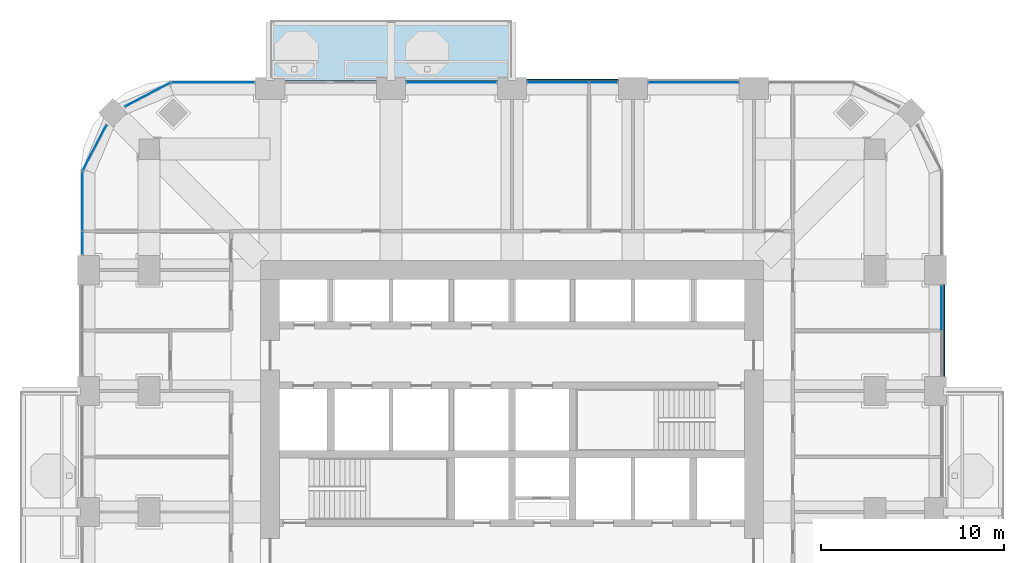
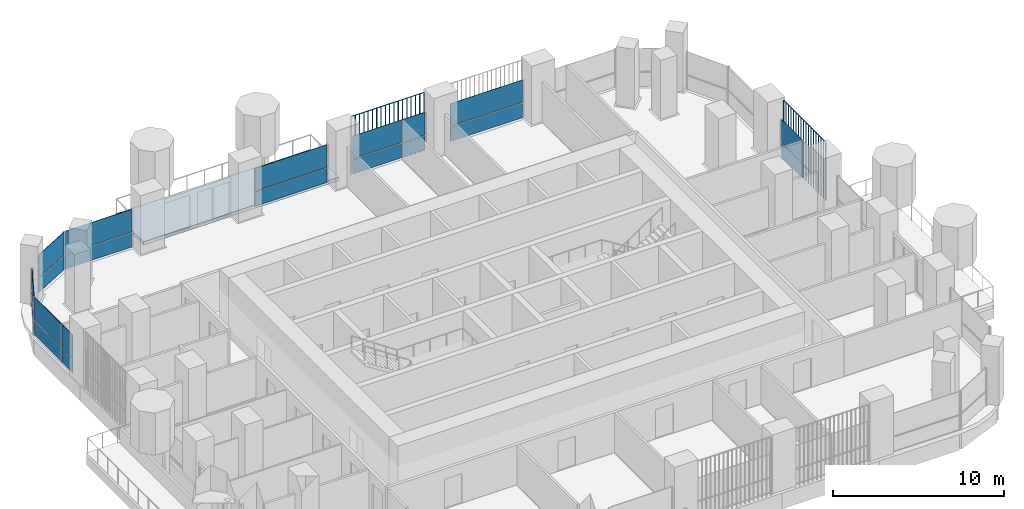
# One storey, part 10 of 20: 22 plates, 1 slab, 8 elements without a shape of their own.
"""IFC4 building model written with IfcOpenShell, lengths in metres."""

import ifcopenshell
import ifcopenshell.guid

model = None  # the IFC model being written
_history = None  # IfcOwnerHistory: only IFC2X3 demands one
_inside = {}  # id of a spatial element -> (the spatial element, [elements in it])
_under = {}  # id of a project, library or spatial element -> (it, [spatial elements below it])
_declared = {}  # id of a project -> (the project, [libraries it declares])
_typed = {}  # id of a type object -> (the type object, [elements of that type])
_made_of = {}  # id of a material, layer set ... -> (it, [elements and type objects made of it])


def new_model(schema):
    """Start an empty IFC model of exactly this schema.

    Asked for "IFC4X3", IfcOpenShell would pick the latest addendum, in which some entities
    have other attributes; the version numbers below select the first issue.
    IFC2X3 requires an IfcOwnerHistory on every rooted entity: one is made here for all.
    """
    global model, _history
    if schema == "IFC4X3":
        model = ifcopenshell.file(schema_version=(4, 3, 0, 0))
    else:
        model = ifcopenshell.file(schema=schema)
    _inside.clear()
    _under.clear()
    _declared.clear()
    _typed.clear()
    _made_of.clear()
    _history = None
    if model.schema == "IFC2X3":
        org = make("IfcOrganization", Name="unknown")
        user = make(
            "IfcPersonAndOrganization",
            ThePerson=make("IfcPerson", FamilyName="unknown"),
            TheOrganization=org,
        )
        app = make(
            "IfcApplication",
            ApplicationDeveloper=org,
            Version="unknown",
            ApplicationFullName="unknown",
            ApplicationIdentifier="unknown",
        )
        _history = make(
            "IfcOwnerHistory",
            OwningUser=user,
            OwningApplication=app,
            ChangeAction="ADDED",
            CreationDate=0,
        )
    return model


def make(cls, **values):
    """One entity of the class cls with the attributes given. An attribute that is None is left unset."""
    return model.create_entity(
        cls, **{name: value for name, value in values.items() if value is not None}
    )


def rooted(cls, **values):
    """An entity with a GlobalId (a new one), such as an element, a storey or a relation."""
    return make(cls, GlobalId=ifcopenshell.guid.new(), OwnerHistory=_history, **values)


def si_unit(unit_type, name, prefix=None):
    """IfcSIUnit, for example si_unit("LENGTHUNIT", "METRE", prefix="MILLI")."""
    return make("IfcSIUnit", UnitType=unit_type, Prefix=prefix, Name=name)


def assignment(units):
    """IfcUnitAssignment: the units of a project."""
    return None if units is None else make("IfcUnitAssignment", Units=units)


def point(xyz):
    """IfcCartesianPoint."""
    return None if xyz is None else make("IfcCartesianPoint", Coordinates=xyz)


def direction(xyz):
    """IfcDirection."""
    return None if xyz is None else make("IfcDirection", DirectionRatios=xyz)


def frame(location, z_axis=None, x_axis=None):
    """IfcAxis2Placement3D, a coordinate frame: its origin and axes. An axis left out is left unset."""
    return make(
        "IfcAxis2Placement3D",
        Location=point(location),
        Axis=direction(z_axis),
        RefDirection=direction(x_axis),
    )


def frame_2d(location, x_axis=None):
    """IfcAxis2Placement2D, a coordinate frame in the plane: its origin and x axis."""
    return make(
        "IfcAxis2Placement2D", Location=point(location), RefDirection=direction(x_axis)
    )


def origin():
    """The frame at (0, 0, 0) with its axes left unset."""
    return frame((0.0, 0.0, 0.0))


def origin_2d():
    """The frame at (0, 0) in the plane with its x axis left unset."""
    return frame_2d((0.0, 0.0))


def place(relative_to, where):
    """IfcLocalPlacement: puts the frame where relative to a parent placement (None: the world)."""
    return make(
        "IfcLocalPlacement", PlacementRelTo=relative_to, RelativePlacement=where
    )


def context(
    kind, dimensions, precision=None, world=None, true_north=None, identifier=None
):
    """IfcGeometricRepresentationContext, for example the 3D "Model" context."""
    return make(
        "IfcGeometricRepresentationContext",
        ContextIdentifier=identifier,
        ContextType=kind,
        CoordinateSpaceDimension=dimensions,
        Precision=precision,
        WorldCoordinateSystem=world,
        TrueNorth=true_north,
    )


def subcontext(parent, identifier, kind, view, scale=None):
    """IfcGeometricRepresentationSubContext, for example "Body" below "Model"."""
    return make(
        "IfcGeometricRepresentationSubContext",
        ContextIdentifier=identifier,
        ContextType=kind,
        ParentContext=parent,
        TargetScale=scale,
        TargetView=view,
    )


def project(units=None, contexts=None):
    """IfcProject with its units and contexts."""
    return rooted(
        "IfcProject",
        Name="project",
        RepresentationContexts=contexts,
        UnitsInContext=assignment(units),
    )


def spatial(cls, under=None, at=None, **own):
    """A site, building, storey or space (cls), placed at a placement, below another one or the project."""
    s = rooted(cls, ObjectPlacement=at, **own)
    if under is not None:
        _under.setdefault(under.id(), (under, []))[1].append(s)
    return s


def polyline(points):
    """IfcPolyline through the points."""
    return make("IfcPolyline", Points=[point(p) for p in points])


def profile(cls, at=None, kind="AREA", **sizes):
    """A parametric profile (cls). Its sizes go by their IFC names, for example OverallWidth=200.0."""
    return make(cls, ProfileType=kind, Position=at, **sizes)


def rectangle(**sizes):
    """IfcRectangleProfileDef."""
    return profile("IfcRectangleProfileDef", **sizes)


def outline(outer, holes=None, kind="AREA"):
    """IfcArbitraryClosedProfileDef: a profile drawn as a closed curve; with holes, ...WithVoids."""
    if holes is None:
        return make("IfcArbitraryClosedProfileDef", ProfileType=kind, OuterCurve=outer)
    return make(
        "IfcArbitraryProfileDefWithVoids",
        ProfileType=kind,
        OuterCurve=outer,
        InnerCurves=holes,
    )


def extrude(swept, where, along, depth):
    """IfcExtrudedAreaSolid: the profile swept, set in the frame where, extruded along a direction by depth."""
    return make(
        "IfcExtrudedAreaSolid",
        SweptArea=swept,
        Position=where,
        ExtrudedDirection=direction(along),
        Depth=depth,
    )


def shape(context_of_items, identifier, shape_type, items):
    """IfcShapeRepresentation: the items that make up one representation, for example the "Body"."""
    return make(
        "IfcShapeRepresentation",
        ContextOfItems=context_of_items,
        RepresentationIdentifier=identifier,
        RepresentationType=shape_type,
        Items=items,
    )


def material(Name=None, Category=None):
    """IfcMaterial."""
    return make("IfcMaterial", Name=Name, Category=Category)


def layer(
    of_material, thickness, ventilated=None, Name=None, Category=None, Priority=None
):
    """IfcMaterialLayer: one layer of a wall or slab, of a material (None: an air gap)."""
    return make(
        "IfcMaterialLayer",
        Material=of_material,
        LayerThickness=thickness,
        IsVentilated=ventilated,
        Name=Name,
        Category=Category,
        Priority=Priority,
    )


def layer_set(layers, Name=None):
    """IfcMaterialLayerSet."""
    return make("IfcMaterialLayerSet", MaterialLayers=layers, LayerSetName=Name)


def made_of(thing, what):
    """Note that an element or type object is made of a material, layer set ...; save() writes the relation."""
    if what is not None:
        _made_of.setdefault(what.id(), (what, []))[1].append(thing)
    return thing


def type_object(cls, material=None, **own):
    """A type object (cls), such as IfcWallType, which elements share."""
    return made_of(rooted(cls, **own), material)


def element(
    cls,
    number,
    at=None,
    inside=None,
    cuts=None,
    type_object=None,
    material=None,
    context=None,
    identifier="Body",
    shape_type=None,
    held_by="IfcProductDefinitionShape",
    body=None,
    shapes=None,
    **own,
):
    """One element of the class cls, such as IfcWall. Its Tag is "e" and its number.

    at: its placement. inside: the storey or other place that contains it. cuts: it is an
    opening in that element (IfcRelVoidsElement). A single representation is given by context,
    identifier, shape_type and body (its items); several are given by shapes. held_by: the class
    of the entity that holds the representations. save() writes the other relations.
    """
    e = rooted(cls, Tag="e%d" % number, ObjectPlacement=at, **own)
    if body is not None:
        shapes = [shape(context, identifier, shape_type, body)]
    if shapes is not None:
        e.Representation = make(held_by, Representations=shapes)
    if inside is not None:
        _inside.setdefault(inside.id(), (inside, []))[1].append(e)
    if cuts is not None:
        rooted(
            "IfcRelVoidsElement", RelatingBuildingElement=cuts, RelatedOpeningElement=e
        )
    if type_object is not None:
        _typed.setdefault(type_object.id(), (type_object, []))[1].append(e)
    return made_of(e, material)


def aggregate(whole, parts):
    """IfcRelAggregates: a whole, such as a stair, and the parts it consists of."""
    return rooted("IfcRelAggregates", RelatingObject=whole, RelatedObjects=parts)


def save(model, path):
    """Write the relations noted so far, then the file.

    IfcRelAggregates (storeys below a building ...), IfcRelContainedInSpatialStructure (elements
    in a storey), IfcRelDefinesByType, IfcRelAssociatesMaterial and IfcRelDeclares: one each for
    every whole, place, type object, material and project.
    """
    for whole, parts in _under.values():
        aggregate(whole, parts)
    for where, things in _inside.values():
        rooted(
            "IfcRelContainedInSpatialStructure",
            RelatedElements=things,
            RelatingStructure=where,
        )
    for kind, things in _typed.values():
        rooted("IfcRelDefinesByType", RelatedObjects=things, RelatingType=kind)
    for what, things in _made_of.values():
        rooted("IfcRelAssociatesMaterial", RelatedObjects=things, RelatingMaterial=what)
    for by, libraries in _declared.values():
        rooted("IfcRelDeclares", RelatingContext=by, RelatedDefinitions=libraries)
    model.write(path)


model = new_model("IFC4")

# Units and contexts
model_context = context("Model", 3, precision=1e-05, world=origin(), true_north=direction((0.0, 1.0)))
body_context = subcontext(model_context, "Body", "Model", "MODEL_VIEW")
ifc_project = project(units=[si_unit("LENGTHUNIT", "METRE"), si_unit("AREAUNIT", "SQUARE_METRE"), si_unit("VOLUMEUNIT", "CUBIC_METRE"), si_unit("PLANEANGLEUNIT", "RADIAN"), si_unit("MASSUNIT", "GRAM", prefix="KILO")], contexts=[model_context])

# Site, building, storey
site_placement = place(None, origin())
site = spatial("IfcSite", under=ifc_project, at=site_placement, CompositionType="ELEMENT")
building_placement = place(site_placement, origin())
building = spatial("IfcBuilding", under=site, at=building_placement, Name="Cobogo Forest Laboratory Tower", CompositionType="ELEMENT")
storey_placement = place(building_placement, frame((0.0, 0.0, 185.10009765625)))
storey = spatial("IfcBuildingStorey", under=building, at=storey_placement, Name="L42", CompositionType="ELEMENT", Elevation=185.10009765625)

# Slab
ifc_material_1 = material(Name="Concrete HA-40 (C40/50)", Category="concrete")
ifc_layer_1 = layer(ifc_material_1, 0.25)
ifc_layer_set_1 = layer_set([ifc_layer_1], Name="Balcony slab 250")
slab_type = type_object("IfcSlabType", Name="Balcony slab 250", PredefinedType="FLOOR", material=ifc_layer_set_1)
slab_placement = place(storey_placement, frame((0.0, 0.0, -0.25)))
element("IfcSlab", 1, at=slab_placement, inside=storey, type_object=slab_type, Name="Balcony BAL-N1 L42", PredefinedType="FLOOR", context=body_context, shape_type="SweptSolid", body=[
    extrude(outline(polyline([(13.199951171875, 43.35009765625), (26.39990234375, 43.35009765625), (26.39990234375, 46.64990234375), (13.199951171875, 46.64990234375), (13.199951171875, 43.35009765625)])), origin(), (0.0, 0.0, 1.0), 0.25),
])

# Curtain wall, plates
ifc_material_2 = material(Name="Aluminium curtain wall", Category="aluminium")
curtain_wall_type = type_object("IfcCurtainWallType", Name="CW-2 unitised curtain wall, solar control glazing, laboratory floors zones C and D", PredefinedType="USERDEFINED", material=ifc_material_2)
curtain_wall_1_placement = place(storey_placement, origin())
curtain_wall_1 = element("IfcCurtainWall", 2, at=curtain_wall_1_placement, inside=storey, type_object=curtain_wall_type, Name="Curtain wall 12 L42", ObjectType="UNITISED CURTAIN WALL", PredefinedType="USERDEFINED")
ifc_material_3 = material(Name="Solar control insulated glass", Category="glass")
ifc_layer_2 = layer(ifc_material_3, 0.031982421875)
ifc_layer_set_2 = layer_set([ifc_layer_2], Name="GP-2 solar control glass unit 32")
plate_type_1 = type_object("IfcPlateType", Name="GP-2 solar control glass unit 32", PredefinedType="CURTAIN_PANEL", material=ifc_layer_set_2)
plate_1_placement = place(storey_placement, frame((49.85009765625, 30.93505859375, 0.0), z_axis=(0.0, 0.0, 1.0), x_axis=(0.0, 1.0, 0.0)))
plate_1 = element("IfcPlate", 3, at=plate_1_placement, type_object=plate_type_1, Name="CW-2 panel 2.1", PredefinedType="CURTAIN_PANEL", context=body_context, shape_type="SweptSolid", body=[
    extrude(rectangle(XDim=2.409912109375, YDim=0.031982421875, at=origin_2d()), origin(), (0.0, 0.0, 1.0), 1.02001953125),
])
plate_2_placement = place(storey_placement, frame((49.85009765625, 30.93505859375, 1.079833984375), z_axis=(0.0, 0.0, 1.0), x_axis=(0.0, 1.0, 0.0)))
plate_2 = element("IfcPlate", 4, at=plate_2_placement, type_object=plate_type_1, Name="CW-2 panel 2.2", PredefinedType="CURTAIN_PANEL", context=body_context, shape_type="SweptSolid", body=[
    extrude(rectangle(XDim=2.409912109375, YDim=0.031982421875, at=origin_2d()), origin(), (0.0, 0.0, 1.0), 1.6201171875),
])
aggregate(curtain_wall_1, [plate_1, plate_2])

curtain_wall_2_placement = place(storey_placement, origin())
curtain_wall_2 = element("IfcCurtainWall", 5, at=curtain_wall_2_placement, inside=storey, type_object=curtain_wall_type, Name="Curtain wall 17 L42", ObjectType="UNITISED CURTAIN WALL", PredefinedType="USERDEFINED")
plate_3_placement = place(storey_placement, frame((36.300048828125, 43.25, 0.0), z_axis=(0.0, 0.0, 1.0), x_axis=(-1.0, 0.0, 0.0)))
plate_3 = element("IfcPlate", 6, at=plate_3_placement, type_object=plate_type_1, Name="CW-2 panel 1.1", PredefinedType="CURTAIN_PANEL", context=body_context, shape_type="SweptSolid", body=[
    extrude(rectangle(XDim=4.8798828125, YDim=0.031982421875, at=origin_2d()), origin(), (0.0, 0.0, 1.0), 1.02001953125),
])
plate_4_placement = place(storey_placement, frame((36.300048828125, 43.25, 1.079833984375), z_axis=(0.0, 0.0, 1.0), x_axis=(-1.0, 0.0, 0.0)))
plate_4 = element("IfcPlate", 7, at=plate_4_placement, type_object=plate_type_1, Name="CW-2 panel 1.2", PredefinedType="CURTAIN_PANEL", context=body_context, shape_type="SweptSolid", body=[
    extrude(rectangle(XDim=4.8798828125, YDim=0.031982421875, at=origin_2d()), origin(), (0.0, 0.0, 1.0), 1.6201171875),
])
aggregate(curtain_wall_2, [plate_3, plate_4])

curtain_wall_3_placement = place(storey_placement, origin())
curtain_wall_3 = element("IfcCurtainWall", 8, at=curtain_wall_3_placement, inside=storey, type_object=curtain_wall_type, Name="Curtain wall 18 L42", ObjectType="UNITISED CURTAIN WALL", PredefinedType="USERDEFINED")
plate_5_placement = place(storey_placement, frame((31.385009765625, 43.25, 0.0), z_axis=(0.0, 0.0, 1.0), x_axis=(-1.0, 0.0, 0.0)))
plate_5 = element("IfcPlate", 9, at=plate_5_placement, type_object=plate_type_1, Name="CW-2 panel 1.1", PredefinedType="CURTAIN_PANEL", context=body_context, shape_type="SweptSolid", body=[
    extrude(rectangle(XDim=1.510009765625, YDim=0.031982421875, at=origin_2d()), origin(), (0.0, 0.0, 1.0), 1.02001953125),
])
plate_6_placement = place(storey_placement, frame((31.385009765625, 43.25, 1.079833984375), z_axis=(0.0, 0.0, 1.0), x_axis=(-1.0, 0.0, 0.0)))
plate_6 = element("IfcPlate", 10, at=plate_6_placement, type_object=plate_type_1, Name="CW-2 panel 1.2", PredefinedType="CURTAIN_PANEL", context=body_context, shape_type="SweptSolid", body=[
    extrude(rectangle(XDim=1.510009765625, YDim=0.031982421875, at=origin_2d()), origin(), (0.0, 0.0, 1.0), 1.6201171875),
])
plate_7_placement = place(storey_placement, frame((28.9150390625, 43.25, 0.0), z_axis=(0.0, 0.0, 1.0), x_axis=(-1.0, 0.0, 0.0)))
plate_7 = element("IfcPlate", 11, at=plate_7_placement, type_object=plate_type_1, Name="CW-2 panel 2.1", PredefinedType="CURTAIN_PANEL", context=body_context, shape_type="SweptSolid", body=[
    extrude(rectangle(XDim=3.31005859375, YDim=0.031982421875, at=origin_2d()), origin(), (0.0, 0.0, 1.0), 1.02001953125),
])
plate_8_placement = place(storey_placement, frame((28.9150390625, 43.25, 1.079833984375), z_axis=(0.0, 0.0, 1.0), x_axis=(-1.0, 0.0, 0.0)))
plate_8 = element("IfcPlate", 12, at=plate_8_placement, type_object=plate_type_1, Name="CW-2 panel 2.2", PredefinedType="CURTAIN_PANEL", context=body_context, shape_type="SweptSolid", body=[
    extrude(rectangle(XDim=3.31005859375, YDim=0.031982421875, at=origin_2d()), origin(), (0.0, 0.0, 1.0), 1.6201171875),
])
aggregate(curtain_wall_3, [plate_5, plate_6, plate_7, plate_8])

curtain_wall_4_placement = place(storey_placement, origin())
curtain_wall_4 = element("IfcCurtainWall", 13, at=curtain_wall_4_placement, inside=storey, type_object=curtain_wall_type, Name="Curtain wall 19 L42", ObjectType="UNITISED CURTAIN WALL", PredefinedType="USERDEFINED")
plate_9_placement = place(storey_placement, frame((23.10009765625, 43.25, 0.0), z_axis=(0.0, 0.0, 1.0), x_axis=(-1.0, 0.0, 0.0)))
plate_9 = element("IfcPlate", 14, at=plate_9_placement, type_object=plate_type_1, Name="CW-2 panel 1.1", PredefinedType="CURTAIN_PANEL", context=body_context, shape_type="SweptSolid", body=[
    extrude(rectangle(XDim=4.8798828125, YDim=0.031982421875, at=origin_2d()), origin(), (0.0, 0.0, 1.0), 1.02001953125),
])
plate_10_placement = place(storey_placement, frame((23.10009765625, 43.25, 1.079833984375), z_axis=(0.0, 0.0, 1.0), x_axis=(-1.0, 0.0, 0.0)))
plate_10 = element("IfcPlate", 15, at=plate_10_placement, type_object=plate_type_1, Name="CW-2 panel 1.2", PredefinedType="CURTAIN_PANEL", context=body_context, shape_type="SweptSolid", body=[
    extrude(rectangle(XDim=4.8798828125, YDim=0.031982421875, at=origin_2d()), origin(), (0.0, 0.0, 1.0), 1.6201171875),
])
aggregate(curtain_wall_4, [plate_9, plate_10])

curtain_wall_5_placement = place(storey_placement, origin())
curtain_wall_5 = element("IfcCurtainWall", 16, at=curtain_wall_5_placement, inside=storey, type_object=curtain_wall_type, Name="Curtain wall 21 L42", ObjectType="UNITISED CURTAIN WALL", PredefinedType="USERDEFINED")
plate_11_placement = place(storey_placement, frame((10.10009765625, 43.25, 0.0), z_axis=(0.0, 0.0, 1.0), x_axis=(-1.0, 0.0, 0.0)))
plate_11 = element("IfcPlate", 17, at=plate_11_placement, type_object=plate_type_1, Name="CW-2 panel 1.1", PredefinedType="CURTAIN_PANEL", context=body_context, shape_type="SweptSolid", body=[
    extrude(rectangle(XDim=4.47998046875, YDim=0.031982421875, at=origin_2d()), origin(), (0.0, 0.0, 1.0), 1.02001953125),
])
plate_12_placement = place(storey_placement, frame((10.10009765625, 43.25, 1.079833984375), z_axis=(0.0, 0.0, 1.0), x_axis=(-1.0, 0.0, 0.0)))
plate_12 = element("IfcPlate", 18, at=plate_12_placement, type_object=plate_type_1, Name="CW-2 panel 1.2", PredefinedType="CURTAIN_PANEL", context=body_context, shape_type="SweptSolid", body=[
    extrude(rectangle(XDim=4.47998046875, YDim=0.031982421875, at=origin_2d()), origin(), (0.0, 0.0, 1.0), 1.6201171875),
])
aggregate(curtain_wall_5, [plate_11, plate_12])

curtain_wall_6_placement = place(storey_placement, origin())
curtain_wall_6 = element("IfcCurtainWall", 19, at=curtain_wall_6_placement, inside=storey, type_object=curtain_wall_type, Name="Curtain wall 22 L42", ObjectType="UNITISED CURTAIN WALL", PredefinedType="USERDEFINED")
plate_13_placement = place(storey_placement, frame((6.5244140625, 42.581298828125, 0.0), z_axis=(0.0, 0.0, 1.0), x_axis=(-0.885686484356, -0.464283804832, 0.0)))
plate_13 = element("IfcPlate", 20, at=plate_13_placement, type_object=plate_type_1, Name="CW-2 panel 1.1", PredefinedType="CURTAIN_PANEL", context=body_context, shape_type="SweptSolid", body=[
    extrude(rectangle(XDim=2.76025390625, YDim=0.031982421875, at=origin_2d()), origin(), (0.0, 0.0, 1.0), 1.02001953125),
])
plate_14_placement = place(storey_placement, frame((6.5244140625, 42.581298828125, 1.079833984375), z_axis=(0.0, 0.0, 1.0), x_axis=(-0.885686484356, -0.464283804832, 0.0)))
plate_14 = element("IfcPlate", 21, at=plate_14_placement, type_object=plate_type_1, Name="CW-2 panel 1.2", PredefinedType="CURTAIN_PANEL", context=body_context, shape_type="SweptSolid", body=[
    extrude(rectangle(XDim=2.76025390625, YDim=0.031982421875, at=origin_2d()), origin(), (0.0, 0.0, 1.0), 1.6201171875),
])
aggregate(curtain_wall_6, [plate_13, plate_14])

curtain_wall_7_placement = place(storey_placement, origin())
curtain_wall_7 = element("IfcCurtainWall", 22, at=curtain_wall_7_placement, inside=storey, type_object=curtain_wall_type, Name="Curtain wall 23 L42", ObjectType="UNITISED CURTAIN WALL", PredefinedType="USERDEFINED")
plate_15_placement = place(storey_placement, frame((3.61865234375, 39.675537109375, 0.0), z_axis=(0.0, 0.0, 1.0), x_axis=(-0.464283804832, -0.885686484356, 0.0)))
plate_15 = element("IfcPlate", 23, at=plate_15_placement, type_object=plate_type_1, Name="CW-2 panel 1.1", PredefinedType="CURTAIN_PANEL", context=body_context, shape_type="SweptSolid", body=[
    extrude(rectangle(XDim=2.76025390625, YDim=0.031982421875, at=origin_2d()), origin(), (0.0, 0.0, 1.0), 1.02001953125),
])
plate_16_placement = place(storey_placement, frame((3.61865234375, 39.675537109375, 1.079833984375), z_axis=(0.0, 0.0, 1.0), x_axis=(-0.464283804832, -0.885686484356, 0.0)))
plate_16 = element("IfcPlate", 24, at=plate_16_placement, type_object=plate_type_1, Name="CW-2 panel 1.2", PredefinedType="CURTAIN_PANEL", context=body_context, shape_type="SweptSolid", body=[
    extrude(rectangle(XDim=2.76025390625, YDim=0.031982421875, at=origin_2d()), origin(), (0.0, 0.0, 1.0), 1.6201171875),
])
aggregate(curtain_wall_7, [plate_15, plate_16])

curtain_wall_8_placement = place(storey_placement, origin())
curtain_wall_8 = element("IfcCurtainWall", 25, at=curtain_wall_8_placement, inside=storey, type_object=curtain_wall_type, Name="Curtain wall 24 L42", ObjectType="UNITISED CURTAIN WALL", PredefinedType="USERDEFINED")
plate_17_placement = place(storey_placement, frame((2.949951171875, 36.74755859375, 0.0), z_axis=(0.0, 0.0, 1.0), x_axis=(0.0, -1.0, 0.0)))
plate_17 = element("IfcPlate", 26, at=plate_17_placement, type_object=plate_type_1, Name="CW-2 panel 1.1", PredefinedType="CURTAIN_PANEL", context=body_context, shape_type="SweptSolid", body=[
    extrude(rectangle(XDim=3.18505859375, YDim=0.031982421875, at=origin_2d()), origin(), (0.0, 0.0, 1.0), 1.02001953125),
])
plate_18_placement = place(storey_placement, frame((2.949951171875, 36.74755859375, 1.079833984375), z_axis=(0.0, 0.0, 1.0), x_axis=(0.0, -1.0, 0.0)))
plate_18 = element("IfcPlate", 27, at=plate_18_placement, type_object=plate_type_1, Name="CW-2 panel 1.2", PredefinedType="CURTAIN_PANEL", context=body_context, shape_type="SweptSolid", body=[
    extrude(rectangle(XDim=3.18505859375, YDim=0.031982421875, at=origin_2d()), origin(), (0.0, 0.0, 1.0), 1.6201171875),
])
plate_19_placement = place(storey_placement, frame((2.949951171875, 34.4775390625, 0.0), z_axis=(0.0, 0.0, 1.0), x_axis=(0.0, -1.0, 0.0)))
plate_19 = element("IfcPlate", 28, at=plate_19_placement, type_object=plate_type_1, Name="CW-2 panel 2.1", PredefinedType="CURTAIN_PANEL", context=body_context, shape_type="SweptSolid", body=[
    extrude(rectangle(XDim=1.235107421875, YDim=0.031982421875, at=origin_2d()), origin(), (0.0, 0.0, 1.0), 1.02001953125),
])
plate_20_placement = place(storey_placement, frame((2.949951171875, 34.4775390625, 1.079833984375), z_axis=(0.0, 0.0, 1.0), x_axis=(0.0, -1.0, 0.0)))
plate_20 = element("IfcPlate", 29, at=plate_20_placement, type_object=plate_type_1, Name="CW-2 panel 2.2", PredefinedType="CURTAIN_PANEL", context=body_context, shape_type="SweptSolid", body=[
    extrude(rectangle(XDim=1.235107421875, YDim=0.031982421875, at=origin_2d()), origin(), (0.0, 0.0, 1.0), 1.6201171875),
])
aggregate(curtain_wall_8, [plate_17, plate_18, plate_19, plate_20])

# Plates
ifc_material_4 = material(Name="Terracotta", Category="masonry")
plate_type_2 = type_object("IfcPlateType", Name="TB1 terracotta baguette screen", PredefinedType="USERDEFINED", material=ifc_material_4)
plate_21_placement = place(storey_placement, frame((49.977783203125, 27.231201171875, -0.150146484375)))
element("IfcPlate", 30, at=plate_21_placement, inside=storey, type_object=plate_type_2, Name="Baguette screen E3 L42", ObjectType="BAGUETTE SCREEN", PredefinedType="USERDEFINED", context=body_context, shape_type="SweptSolid", body=[
    extrude(outline(polyline([(0.02880859375, 0.011962890625), (0.011962890625, 0.02880859375), (-0.011962890625, 0.02880859375), (-0.02880859375, 0.011962890625), (-0.02880859375, -0.011962890625), (-0.011962890625, -0.02880859375), (0.011962890625, -0.02880859375), (0.02880859375, -0.011962890625), (0.02880859375, 0.011962890625)])), frame((0.0, 0.0, 4.168701171875), z_axis=(0.0, 1.0, 0.0), x_axis=(-1.0, 0.0, 0.0)), (0.0, 0.0, 1.0), 4.9375),
    extrude(outline(polyline([(0.02880859375, 0.011962890625), (0.011962890625, 0.02880859375), (-0.011962890625, 0.02880859375), (-0.02880859375, 0.011962890625), (-0.02880859375, -0.011962890625), (-0.011962890625, -0.02880859375), (0.011962890625, -0.02880859375), (0.02880859375, -0.011962890625), (0.02880859375, 0.011962890625)])), origin(), (0.0, 0.0, 1.0), 4.137451171875),
    extrude(outline(polyline([(0.02880859375, 0.011962890625), (0.011962890625, 0.02880859375), (-0.011962890625, 0.02880859375), (-0.02880859375, 0.011962890625), (-0.02880859375, -0.011962890625), (-0.011962890625, -0.02880859375), (0.011962890625, -0.02880859375), (0.02880859375, -0.011962890625), (0.02880859375, 0.011962890625)])), frame((0.0, 0.29052734375, 0.0)), (0.0, 0.0, 1.0), 4.137451171875),
    extrude(outline(polyline([(0.02880859375, 0.011962890625), (0.011962890625, 0.02880859375), (-0.011962890625, 0.02880859375), (-0.02880859375, 0.011962890625), (-0.02880859375, -0.011962890625), (-0.011962890625, -0.02880859375), (0.011962890625, -0.02880859375), (0.02880859375, -0.011962890625), (0.02880859375, 0.011962890625)])), frame((0.0, 0.580810546875, 0.0)), (0.0, 0.0, 1.0), 4.137451171875),
    extrude(outline(polyline([(0.02880859375, 0.011962890625), (0.011962890625, 0.02880859375), (-0.011962890625, 0.02880859375), (-0.02880859375, 0.011962890625), (-0.02880859375, -0.011962890625), (-0.011962890625, -0.02880859375), (0.011962890625, -0.02880859375), (0.02880859375, -0.011962890625), (0.02880859375, 0.011962890625)])), frame((0.0, 0.871337890625, 0.0)), (0.0, 0.0, 1.0), 4.137451171875),
    extrude(outline(polyline([(0.02880859375, 0.011962890625), (0.011962890625, 0.02880859375), (-0.011962890625, 0.02880859375), (-0.02880859375, 0.011962890625), (-0.02880859375, -0.011962890625), (-0.011962890625, -0.02880859375), (0.011962890625, -0.02880859375), (0.02880859375, -0.011962890625), (0.02880859375, 0.011962890625)])), frame((0.0, 1.161865234375, 0.0)), (0.0, 0.0, 1.0), 4.137451171875),
    extrude(outline(polyline([(0.02880859375, 0.011962890625), (0.011962890625, 0.02880859375), (-0.011962890625, 0.02880859375), (-0.02880859375, 0.011962890625), (-0.02880859375, -0.011962890625), (-0.011962890625, -0.02880859375), (0.011962890625, -0.02880859375), (0.02880859375, -0.011962890625), (0.02880859375, 0.011962890625)])), frame((0.0, 1.4521484375, 0.0)), (0.0, 0.0, 1.0), 4.137451171875),
    extrude(outline(polyline([(0.02880859375, 0.011962890625), (0.011962890625, 0.02880859375), (-0.011962890625, 0.02880859375), (-0.02880859375, 0.011962890625), (-0.02880859375, -0.011962890625), (-0.011962890625, -0.02880859375), (0.011962890625, -0.02880859375), (0.02880859375, -0.011962890625), (0.02880859375, 0.011962890625)])), frame((0.0, 1.74267578125, 0.0)), (0.0, 0.0, 1.0), 4.137451171875),
    extrude(outline(polyline([(0.02880859375, 0.011962890625), (0.011962890625, 0.02880859375), (-0.011962890625, 0.02880859375), (-0.02880859375, 0.011962890625), (-0.02880859375, -0.011962890625), (-0.011962890625, -0.02880859375), (0.011962890625, -0.02880859375), (0.02880859375, -0.011962890625), (0.02880859375, 0.011962890625)])), frame((0.0, 2.033203125, 0.0)), (0.0, 0.0, 1.0), 4.137451171875),
    extrude(outline(polyline([(0.02880859375, 0.011962890625), (0.011962890625, 0.02880859375), (-0.011962890625, 0.02880859375), (-0.02880859375, 0.011962890625), (-0.02880859375, -0.011962890625), (-0.011962890625, -0.02880859375), (0.011962890625, -0.02880859375), (0.02880859375, -0.011962890625), (0.02880859375, 0.011962890625)])), frame((0.0, 2.323486328125, 0.0)), (0.0, 0.0, 1.0), 4.137451171875),
    extrude(outline(polyline([(0.02880859375, 0.011962890625), (0.011962890625, 0.02880859375), (-0.011962890625, 0.02880859375), (-0.02880859375, 0.011962890625), (-0.02880859375, -0.011962890625), (-0.011962890625, -0.02880859375), (0.011962890625, -0.02880859375), (0.02880859375, -0.011962890625), (0.02880859375, 0.011962890625)])), frame((0.0, 2.614013671875, 0.0)), (0.0, 0.0, 1.0), 4.137451171875),
    extrude(outline(polyline([(0.02880859375, 0.011962890625), (0.011962890625, 0.02880859375), (-0.011962890625, 0.02880859375), (-0.02880859375, 0.011962890625), (-0.02880859375, -0.011962890625), (-0.011962890625, -0.02880859375), (0.011962890625, -0.02880859375), (0.02880859375, -0.011962890625), (0.02880859375, 0.011962890625)])), frame((0.0, 2.904296875, 0.0)), (0.0, 0.0, 1.0), 4.137451171875),
    extrude(outline(polyline([(0.02880859375, 0.011962890625), (0.011962890625, 0.02880859375), (-0.011962890625, 0.02880859375), (-0.02880859375, 0.011962890625), (-0.02880859375, -0.011962890625), (-0.011962890625, -0.02880859375), (0.011962890625, -0.02880859375), (0.02880859375, -0.011962890625), (0.02880859375, 0.011962890625)])), frame((0.0, 3.19482421875, 0.0)), (0.0, 0.0, 1.0), 4.137451171875),
    extrude(outline(polyline([(0.02880859375, 0.011962890625), (0.011962890625, 0.02880859375), (-0.011962890625, 0.02880859375), (-0.02880859375, 0.011962890625), (-0.02880859375, -0.011962890625), (-0.011962890625, -0.02880859375), (0.011962890625, -0.02880859375), (0.02880859375, -0.011962890625), (0.02880859375, 0.011962890625)])), frame((0.0, 3.4853515625, 0.0)), (0.0, 0.0, 1.0), 4.137451171875),
    extrude(outline(polyline([(0.02880859375, 0.011962890625), (0.011962890625, 0.02880859375), (-0.011962890625, 0.02880859375), (-0.02880859375, 0.011962890625), (-0.02880859375, -0.011962890625), (-0.011962890625, -0.02880859375), (0.011962890625, -0.02880859375), (0.02880859375, -0.011962890625), (0.02880859375, 0.011962890625)])), frame((0.0, 3.775634765625, 0.0)), (0.0, 0.0, 1.0), 4.137451171875),
    extrude(outline(polyline([(0.02880859375, 0.011962890625), (0.011962890625, 0.02880859375), (-0.011962890625, 0.02880859375), (-0.02880859375, 0.011962890625), (-0.02880859375, -0.011962890625), (-0.011962890625, -0.02880859375), (0.011962890625, -0.02880859375), (0.02880859375, -0.011962890625), (0.02880859375, 0.011962890625)])), frame((0.0, 4.066162109375, 0.0)), (0.0, 0.0, 1.0), 4.137451171875),
    extrude(outline(polyline([(0.02880859375, 0.011962890625), (0.011962890625, 0.02880859375), (-0.011962890625, 0.02880859375), (-0.02880859375, 0.011962890625), (-0.02880859375, -0.011962890625), (-0.011962890625, -0.02880859375), (0.011962890625, -0.02880859375), (0.02880859375, -0.011962890625), (0.02880859375, 0.011962890625)])), frame((0.0, 4.356689453125, 0.0)), (0.0, 0.0, 1.0), 4.137451171875),
    extrude(outline(polyline([(0.02880859375, 0.011962890625), (0.011962890625, 0.02880859375), (-0.011962890625, 0.02880859375), (-0.02880859375, 0.011962890625), (-0.02880859375, -0.011962890625), (-0.011962890625, -0.02880859375), (0.011962890625, -0.02880859375), (0.02880859375, -0.011962890625), (0.02880859375, 0.011962890625)])), frame((0.0, 4.64697265625, 0.0)), (0.0, 0.0, 1.0), 4.137451171875),
    extrude(outline(polyline([(0.02880859375, 0.011962890625), (0.011962890625, 0.02880859375), (-0.011962890625, 0.02880859375), (-0.02880859375, 0.011962890625), (-0.02880859375, -0.011962890625), (-0.011962890625, -0.02880859375), (0.011962890625, -0.02880859375), (0.02880859375, -0.011962890625), (0.02880859375, 0.011962890625)])), frame((0.0, 4.9375, 0.0)), (0.0, 0.0, 1.0), 4.137451171875),
])
plate_22_placement = place(storey_placement, frame((27.231201171875, 43.3779296875, -0.150146484375)))
element("IfcPlate", 31, at=plate_22_placement, inside=storey, type_object=plate_type_2, Name="Baguette screen N3 L42", ObjectType="BAGUETTE SCREEN", PredefinedType="USERDEFINED", context=body_context, shape_type="SweptSolid", body=[
    extrude(outline(polyline([(0.02880859375, 0.011962890625), (0.011962890625, 0.02880859375), (-0.011962890625, 0.02880859375), (-0.02880859375, 0.011962890625), (-0.02880859375, -0.011962890625), (-0.011962890625, -0.02880859375), (0.011962890625, -0.02880859375), (0.02880859375, -0.011962890625), (0.02880859375, 0.011962890625)])), frame((0.0, 0.0, 4.168701171875), z_axis=(1.0, 0.0, 0.0), x_axis=(0.0, 1.0, 0.0)), (0.0, 0.0, 1.0), 4.9375),
    extrude(outline(polyline([(0.02880859375, 0.011962890625), (0.011962890625, 0.02880859375), (-0.011962890625, 0.02880859375), (-0.02880859375, 0.011962890625), (-0.02880859375, -0.011962890625), (-0.011962890625, -0.02880859375), (0.011962890625, -0.02880859375), (0.02880859375, -0.011962890625), (0.02880859375, 0.011962890625)])), origin(), (0.0, 0.0, 1.0), 4.137451171875),
    extrude(outline(polyline([(0.02880859375, 0.011962890625), (0.011962890625, 0.02880859375), (-0.011962890625, 0.02880859375), (-0.02880859375, 0.011962890625), (-0.02880859375, -0.011962890625), (-0.011962890625, -0.02880859375), (0.011962890625, -0.02880859375), (0.02880859375, -0.011962890625), (0.02880859375, 0.011962890625)])), frame((0.29052734375, 0.0, 0.0)), (0.0, 0.0, 1.0), 4.137451171875),
    extrude(outline(polyline([(0.02880859375, 0.011962890625), (0.011962890625, 0.02880859375), (-0.011962890625, 0.02880859375), (-0.02880859375, 0.011962890625), (-0.02880859375, -0.011962890625), (-0.011962890625, -0.02880859375), (0.011962890625, -0.02880859375), (0.02880859375, -0.011962890625), (0.02880859375, 0.011962890625)])), frame((0.580810546875, 0.0, 0.0)), (0.0, 0.0, 1.0), 4.137451171875),
    extrude(outline(polyline([(0.02880859375, 0.011962890625), (0.011962890625, 0.02880859375), (-0.011962890625, 0.02880859375), (-0.02880859375, 0.011962890625), (-0.02880859375, -0.011962890625), (-0.011962890625, -0.02880859375), (0.011962890625, -0.02880859375), (0.02880859375, -0.011962890625), (0.02880859375, 0.011962890625)])), frame((0.871337890625, 0.0, 0.0)), (0.0, 0.0, 1.0), 4.137451171875),
    extrude(outline(polyline([(0.02880859375, 0.011962890625), (0.011962890625, 0.02880859375), (-0.011962890625, 0.02880859375), (-0.02880859375, 0.011962890625), (-0.02880859375, -0.011962890625), (-0.011962890625, -0.02880859375), (0.011962890625, -0.02880859375), (0.02880859375, -0.011962890625), (0.02880859375, 0.011962890625)])), frame((1.161865234375, 0.0, 0.0)), (0.0, 0.0, 1.0), 4.137451171875),
    extrude(outline(polyline([(0.02880859375, 0.011962890625), (0.011962890625, 0.02880859375), (-0.011962890625, 0.02880859375), (-0.02880859375, 0.011962890625), (-0.02880859375, -0.011962890625), (-0.011962890625, -0.02880859375), (0.011962890625, -0.02880859375), (0.02880859375, -0.011962890625), (0.02880859375, 0.011962890625)])), frame((1.4521484375, 0.0, 0.0)), (0.0, 0.0, 1.0), 4.137451171875),
    extrude(outline(polyline([(0.02880859375, 0.011962890625), (0.011962890625, 0.02880859375), (-0.011962890625, 0.02880859375), (-0.02880859375, 0.011962890625), (-0.02880859375, -0.011962890625), (-0.011962890625, -0.02880859375), (0.011962890625, -0.02880859375), (0.02880859375, -0.011962890625), (0.02880859375, 0.011962890625)])), frame((1.74267578125, 0.0, 0.0)), (0.0, 0.0, 1.0), 4.137451171875),
    extrude(outline(polyline([(0.02880859375, 0.011962890625), (0.011962890625, 0.02880859375), (-0.011962890625, 0.02880859375), (-0.02880859375, 0.011962890625), (-0.02880859375, -0.011962890625), (-0.011962890625, -0.02880859375), (0.011962890625, -0.02880859375), (0.02880859375, -0.011962890625), (0.02880859375, 0.011962890625)])), frame((2.033203125, 0.0, 0.0)), (0.0, 0.0, 1.0), 4.137451171875),
    extrude(outline(polyline([(0.02880859375, 0.011962890625), (0.011962890625, 0.02880859375), (-0.011962890625, 0.02880859375), (-0.02880859375, 0.011962890625), (-0.02880859375, -0.011962890625), (-0.011962890625, -0.02880859375), (0.011962890625, -0.02880859375), (0.02880859375, -0.011962890625), (0.02880859375, 0.011962890625)])), frame((2.323486328125, 0.0, 0.0)), (0.0, 0.0, 1.0), 4.137451171875),
    extrude(outline(polyline([(0.02880859375, 0.011962890625), (0.011962890625, 0.02880859375), (-0.011962890625, 0.02880859375), (-0.02880859375, 0.011962890625), (-0.02880859375, -0.011962890625), (-0.011962890625, -0.02880859375), (0.011962890625, -0.02880859375), (0.02880859375, -0.011962890625), (0.02880859375, 0.011962890625)])), frame((2.614013671875, 0.0, 0.0)), (0.0, 0.0, 1.0), 4.137451171875),
    extrude(outline(polyline([(0.02880859375, 0.011962890625), (0.011962890625, 0.02880859375), (-0.011962890625, 0.02880859375), (-0.02880859375, 0.011962890625), (-0.02880859375, -0.011962890625), (-0.011962890625, -0.02880859375), (0.011962890625, -0.02880859375), (0.02880859375, -0.011962890625), (0.02880859375, 0.011962890625)])), frame((2.904296875, 0.0, 0.0)), (0.0, 0.0, 1.0), 4.137451171875),
    extrude(outline(polyline([(0.02880859375, 0.011962890625), (0.011962890625, 0.02880859375), (-0.011962890625, 0.02880859375), (-0.02880859375, 0.011962890625), (-0.02880859375, -0.011962890625), (-0.011962890625, -0.02880859375), (0.011962890625, -0.02880859375), (0.02880859375, -0.011962890625), (0.02880859375, 0.011962890625)])), frame((3.19482421875, 0.0, 0.0)), (0.0, 0.0, 1.0), 4.137451171875),
    extrude(outline(polyline([(0.02880859375, 0.011962890625), (0.011962890625, 0.02880859375), (-0.011962890625, 0.02880859375), (-0.02880859375, 0.011962890625), (-0.02880859375, -0.011962890625), (-0.011962890625, -0.02880859375), (0.011962890625, -0.02880859375), (0.02880859375, -0.011962890625), (0.02880859375, 0.011962890625)])), frame((3.4853515625, 0.0, 0.0)), (0.0, 0.0, 1.0), 4.137451171875),
    extrude(outline(polyline([(0.02880859375, 0.011962890625), (0.011962890625, 0.02880859375), (-0.011962890625, 0.02880859375), (-0.02880859375, 0.011962890625), (-0.02880859375, -0.011962890625), (-0.011962890625, -0.02880859375), (0.011962890625, -0.02880859375), (0.02880859375, -0.011962890625), (0.02880859375, 0.011962890625)])), frame((3.775634765625, 0.0, 0.0)), (0.0, 0.0, 1.0), 4.137451171875),
    extrude(outline(polyline([(0.02880859375, 0.011962890625), (0.011962890625, 0.02880859375), (-0.011962890625, 0.02880859375), (-0.02880859375, 0.011962890625), (-0.02880859375, -0.011962890625), (-0.011962890625, -0.02880859375), (0.011962890625, -0.02880859375), (0.02880859375, -0.011962890625), (0.02880859375, 0.011962890625)])), frame((4.066162109375, 0.0, 0.0)), (0.0, 0.0, 1.0), 4.137451171875),
    extrude(outline(polyline([(0.02880859375, 0.011962890625), (0.011962890625, 0.02880859375), (-0.011962890625, 0.02880859375), (-0.02880859375, 0.011962890625), (-0.02880859375, -0.011962890625), (-0.011962890625, -0.02880859375), (0.011962890625, -0.02880859375), (0.02880859375, -0.011962890625), (0.02880859375, 0.011962890625)])), frame((4.356689453125, 0.0, 0.0)), (0.0, 0.0, 1.0), 4.137451171875),
    extrude(outline(polyline([(0.02880859375, 0.011962890625), (0.011962890625, 0.02880859375), (-0.011962890625, 0.02880859375), (-0.02880859375, 0.011962890625), (-0.02880859375, -0.011962890625), (-0.011962890625, -0.02880859375), (0.011962890625, -0.02880859375), (0.02880859375, -0.011962890625), (0.02880859375, 0.011962890625)])), frame((4.64697265625, 0.0, 0.0)), (0.0, 0.0, 1.0), 4.137451171875),
    extrude(outline(polyline([(0.02880859375, 0.011962890625), (0.011962890625, 0.02880859375), (-0.011962890625, 0.02880859375), (-0.02880859375, 0.011962890625), (-0.02880859375, -0.011962890625), (-0.011962890625, -0.02880859375), (0.011962890625, -0.02880859375), (0.02880859375, -0.011962890625), (0.02880859375, 0.011962890625)])), frame((4.9375, 0.0, 0.0)), (0.0, 0.0, 1.0), 4.137451171875),
])

save(model, "model.ifc")
